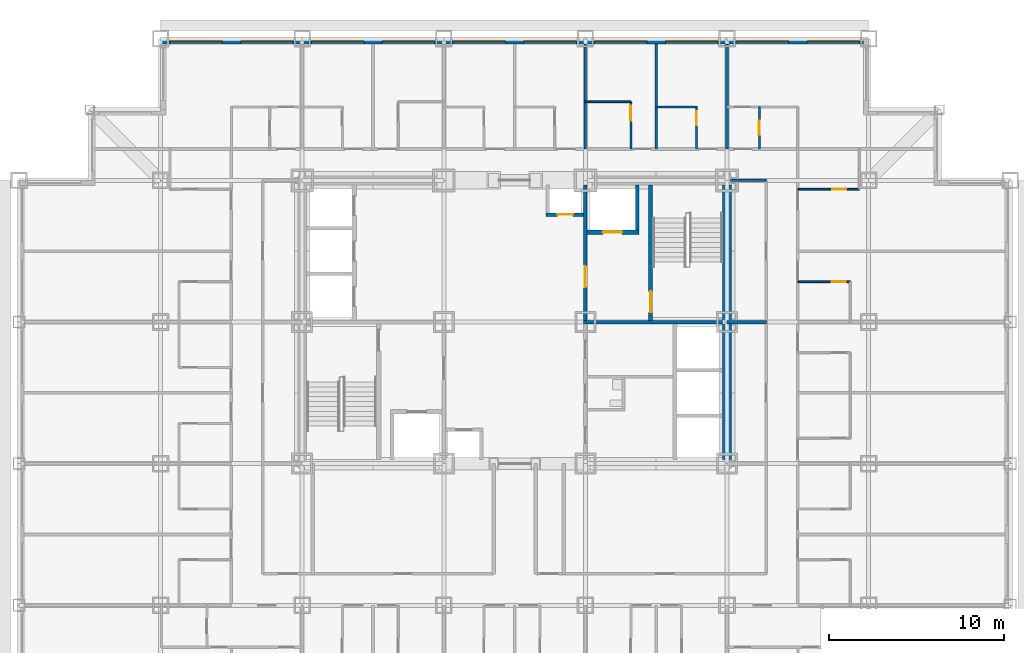
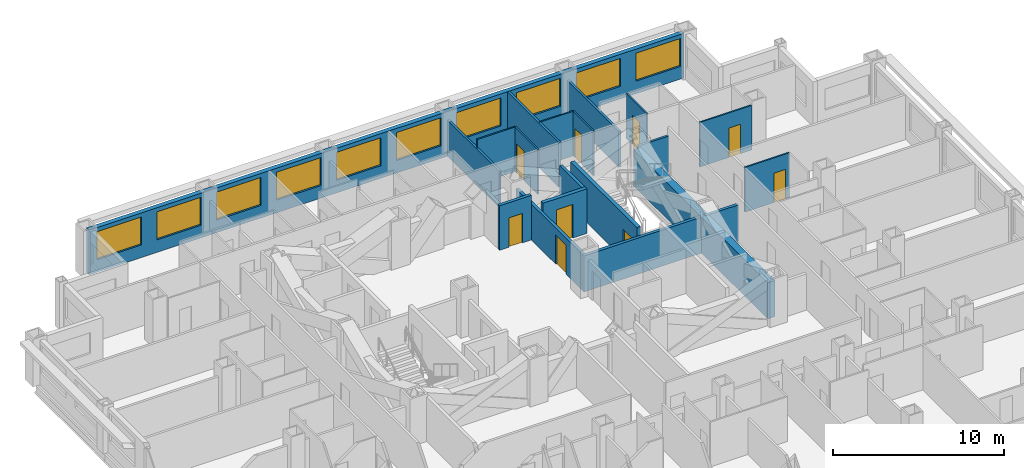
# One storey, part 9 of 12: 20 walls, 10 windows, 9 doors, 19 openings.
"""IFC4 building model written with IfcOpenShell, lengths in metres."""

from ifc_helpers import new_model, si_unit, direction, frame, frame_2d, origin, place, context, subcontext, project, spatial, rectangle, extrude, material, layer, layer_set, type_object, element, fill, save


model = new_model("IFC4")

# Units and contexts
model_context = context("Model", 3, precision=1e-05, world=origin(), true_north=direction((0.0, 1.0)))
body_context = subcontext(model_context, "Body", "Model", "MODEL_VIEW")
ifc_project = project(units=[si_unit("LENGTHUNIT", "METRE"), si_unit("AREAUNIT", "SQUARE_METRE"), si_unit("VOLUMEUNIT", "CUBIC_METRE"), si_unit("PLANEANGLEUNIT", "RADIAN"), si_unit("MASSUNIT", "GRAM", prefix="KILO")], contexts=[model_context])

# Site, building, storey
site_placement = place(None, origin())
site = spatial("IfcSite", under=ifc_project, at=site_placement, CompositionType="ELEMENT")
building_placement = place(site_placement, origin())
building = spatial("IfcBuilding", under=site, at=building_placement, Name="Kopane Lantern Tower", CompositionType="ELEMENT")
storey_placement = place(building_placement, frame((0.0, 0.0, 36.39990234375)))
storey = spatial("IfcBuildingStorey", under=building, at=storey_placement, Name="L07", CompositionType="ELEMENT", Elevation=36.39990234375)

# Wall
ifc_material_1 = material(Name="Moisture-resistant board on steel studs", Category="steel")
ifc_layer_1 = layer(ifc_material_1, 0.10009765625)
ifc_layer_set_1 = layer_set([ifc_layer_1], Name="BATHROOM WALL 100")
wall_type_1 = type_object("IfcWallType", Name="BATHROOM WALL 100", PredefinedType="PARTITIONING", material=ifc_layer_set_1)
wall_1_placement = place(storey_placement, frame((32.39990234375, 45.0, 0.0), z_axis=(0.0, 0.0, 1.0), x_axis=(1.0, 0.0, 0.0)))
element("IfcWall", 1, at=wall_1_placement, inside=storey, type_object=wall_type_1, Name="Bathroom Wall 100 L07", PredefinedType="PARTITIONING", context=body_context, shape_type="SweptSolid", body=[
    extrude(rectangle(XDim=2.60009765625, YDim=0.10009765625, at=frame_2d((1.300048828125, 0.0))), origin(), (0.0, 0.0, 1.0), 3.190185546875),
])

# Wall, opening, door
wall_2_placement = place(storey_placement, frame((35.0, 42.300048828125, 0.0), z_axis=(0.0, 0.0, 1.0), x_axis=(0.0, 1.0, 0.0)))
wall_2 = element("IfcWall", 2, at=wall_2_placement, inside=storey, type_object=wall_type_1, Name="Bathroom Wall 100 L07", PredefinedType="PARTITIONING", context=body_context, shape_type="SweptSolid", body=[
    extrude(rectangle(XDim=2.699951171875, YDim=0.10009765625, at=frame_2d((1.35009765625, 0.0))), origin(), (0.0, 0.0, 1.0), 3.190185546875),
])
opening_1_placement = place(wall_2_placement, frame((1.625, 0.0, 0.0)))
opening_1 = element("IfcOpeningElement", 3, at=opening_1_placement, cuts=wall_2, Name="Opening L07-031", PredefinedType="OPENING", context=body_context, shape_type="SweptSolid", body=[
    extrude(rectangle(XDim=0.85009765625, YDim=2.10009765625, at=frame_2d((0.425048828125, 1.050048828125))), frame((0.0, 0.06005859375, 0.0), z_axis=(0.0, -1.0, 0.0), x_axis=(1.0, 0.0, 0.0)), (0.0, 0.0, 1.0), 0.1201171875),
])
ifc_material_2 = material(Name="Timber door set", Category="wood")
door_type_1 = type_object("IfcDoorType", Name="DOOR D4 850x2100", OperationType="SINGLE_SWING_LEFT", PredefinedType="DOOR", material=ifc_material_2)
door_1_placement = place(opening_1_placement, origin())
door_1 = element("IfcDoor", 4, at=door_1_placement, inside=storey, type_object=door_type_1, Name="Door L07-031", OperationType="SINGLE_SWING_RIGHT", OverallHeight=2.10009765625, OverallWidth=0.85009765625, PredefinedType="DOOR", context=body_context, shape_type="SweptSolid", body=[
    extrude(rectangle(XDim=0.85009765625, YDim=2.10009765625, at=frame_2d((0.425048828125, 1.050048828125))), frame((0.0, 0.02490234375, 0.0), z_axis=(0.0, -1.0, 0.0), x_axis=(1.0, 0.0, 0.0)), (0.0, 0.0, 1.0), 0.050048828125),
])
fill(opening_1, door_1)

# Wall
wall_3_placement = place(storey_placement, frame((36.449951171875, 44.699951171875, 0.0), z_axis=(0.0, 0.0, 1.0), x_axis=(1.0, 0.0, 0.0)))
element("IfcWall", 5, at=wall_3_placement, inside=storey, type_object=wall_type_1, Name="Bathroom Wall 100 L07", PredefinedType="PARTITIONING", context=body_context, shape_type="SweptSolid", body=[
    extrude(rectangle(XDim=2.300048828125, YDim=0.10009765625, at=frame_2d((1.14990234375, 0.0))), origin(), (0.0, 0.0, 1.0), 3.190185546875),
])

# Wall, opening, door
wall_4_placement = place(storey_placement, frame((38.75, 42.300048828125, 0.0), z_axis=(0.0, 0.0, 1.0), x_axis=(0.0, 1.0, 0.0)))
wall_4 = element("IfcWall", 6, at=wall_4_placement, inside=storey, type_object=wall_type_1, Name="Bathroom Wall 100 L07", PredefinedType="PARTITIONING", context=body_context, shape_type="SweptSolid", body=[
    extrude(rectangle(XDim=2.39990234375, YDim=0.10009765625, at=frame_2d((1.199951171875, 0.0))), origin(), (0.0, 0.0, 1.0), 3.190185546875),
])
opening_2_placement = place(wall_4_placement, frame((1.35009765625, 0.0, 0.0)))
opening_2 = element("IfcOpeningElement", 7, at=opening_2_placement, cuts=wall_4, Name="Opening L07-033", PredefinedType="OPENING", context=body_context, shape_type="SweptSolid", body=[
    extrude(rectangle(XDim=0.800048828125, YDim=2.10009765625, at=frame_2d((0.39990234375, 1.050048828125))), frame((0.0, 0.06005859375, 0.0), z_axis=(0.0, -1.0, 0.0), x_axis=(1.0, 0.0, 0.0)), (0.0, 0.0, 1.0), 0.1201171875),
])
ifc_material_3 = material(Name="Timber door set", Category="wood")
door_type_2 = type_object("IfcDoorType", Name="DOOR D2 800x2100", OperationType="SINGLE_SWING_LEFT", PredefinedType="DOOR", material=ifc_material_3)
door_2_placement = place(opening_2_placement, origin())
door_2 = element("IfcDoor", 8, at=door_2_placement, inside=storey, type_object=door_type_2, Name="Door L07-033", OperationType="SINGLE_SWING_RIGHT", OverallHeight=2.10009765625, OverallWidth=0.800048828125, PredefinedType="DOOR", context=body_context, shape_type="SweptSolid", body=[
    extrude(rectangle(XDim=0.800048828125, YDim=2.10009765625, at=frame_2d((0.39990234375, 1.050048828125))), frame((0.0, 0.02490234375, 0.0), z_axis=(0.0, -1.0, 0.0), x_axis=(1.0, 0.0, 0.0)), (0.0, 0.0, 1.0), 0.050048828125),
])
fill(opening_2, door_2)

wall_5_placement = place(storey_placement, frame((44.550048828125, 34.699951171875, 0.0), z_axis=(0.0, 0.0, 1.0), x_axis=(1.0, 0.0, 0.0)))
wall_5 = element("IfcWall", 9, at=wall_5_placement, inside=storey, type_object=wall_type_1, Name="Bathroom Wall 100 L07", PredefinedType="PARTITIONING", context=body_context, shape_type="SweptSolid", body=[
    extrude(rectangle(XDim=3.0, YDim=0.10009765625, at=frame_2d((1.5, 0.0))), origin(), (0.0, 0.0, 1.0), 3.190185546875),
])
opening_3_placement = place(wall_5_placement, frame((1.949951171875, 0.0, 0.0)))
opening_3 = element("IfcOpeningElement", 10, at=opening_3_placement, cuts=wall_5, Name="Opening L07-055", PredefinedType="OPENING", context=body_context, shape_type="SweptSolid", body=[
    extrude(rectangle(XDim=0.800048828125, YDim=2.10009765625, at=frame_2d((0.39990234375, 1.050048828125))), frame((0.0, 0.06005859375, 0.0), z_axis=(0.0, -1.0, 0.0), x_axis=(1.0, 0.0, 0.0)), (0.0, 0.0, 1.0), 0.1201171875),
])
door_3_placement = place(opening_3_placement, origin())
door_3 = element("IfcDoor", 11, at=door_3_placement, inside=storey, type_object=door_type_2, Name="Door L07-055", OperationType="SINGLE_SWING_LEFT", OverallHeight=2.10009765625, OverallWidth=0.800048828125, PredefinedType="DOOR", context=body_context, shape_type="SweptSolid", body=[
    extrude(rectangle(XDim=0.800048828125, YDim=2.10009765625, at=frame_2d((0.39990234375, 1.050048828125))), frame((0.0, 0.02490234375, 0.0), z_axis=(0.0, -1.0, 0.0), x_axis=(1.0, 0.0, 0.0)), (0.0, 0.0, 1.0), 0.050048828125),
])
fill(opening_3, door_3)

wall_6_placement = place(storey_placement, frame((44.550048828125, 40.0, 0.0), z_axis=(0.0, 0.0, 1.0), x_axis=(1.0, 0.0, 0.0)))
wall_6 = element("IfcWall", 12, at=wall_6_placement, inside=storey, type_object=wall_type_1, Name="Bathroom Wall 100 L07", PredefinedType="PARTITIONING", context=body_context, shape_type="SweptSolid", body=[
    extrude(rectangle(XDim=3.514892578125, YDim=0.10009765625, at=frame_2d((1.75732421875, 0.0))), origin(), (0.0, 0.0, 1.0), 3.190185546875),
])
opening_4_placement = place(wall_6_placement, frame((1.965087890625, 0.0, 0.0)))
opening_4 = element("IfcOpeningElement", 13, at=opening_4_placement, cuts=wall_6, Name="Opening L07-057", PredefinedType="OPENING", context=body_context, shape_type="SweptSolid", body=[
    extrude(rectangle(XDim=0.800048828125, YDim=2.10009765625, at=frame_2d((0.39990234375, 1.050048828125))), frame((0.0, 0.06005859375, 0.0), z_axis=(0.0, -1.0, 0.0), x_axis=(1.0, 0.0, 0.0)), (0.0, 0.0, 1.0), 0.1201171875),
])
door_4_placement = place(opening_4_placement, origin())
door_4 = element("IfcDoor", 14, at=door_4_placement, inside=storey, type_object=door_type_2, Name="Door L07-057", OperationType="SINGLE_SWING_RIGHT", OverallHeight=2.10009765625, OverallWidth=0.800048828125, PredefinedType="DOOR", context=body_context, shape_type="SweptSolid", body=[
    extrude(rectangle(XDim=0.800048828125, YDim=2.10009765625, at=frame_2d((0.39990234375, 1.050048828125))), frame((0.0, 0.02490234375, 0.0), z_axis=(0.0, -1.0, 0.0), x_axis=(1.0, 0.0, 0.0)), (0.0, 0.0, 1.0), 0.050048828125),
])
fill(opening_4, door_4)

wall_7_placement = place(storey_placement, frame((42.35009765625, 42.300048828125, 0.0), z_axis=(0.0, 0.0, 1.0), x_axis=(0.0, 1.0, 0.0)))
wall_7 = element("IfcWall", 15, at=wall_7_placement, inside=storey, type_object=wall_type_1, Name="Bathroom Wall 100 L07", PredefinedType="PARTITIONING", context=body_context, shape_type="SweptSolid", body=[
    extrude(rectangle(XDim=2.39990234375, YDim=0.10009765625, at=frame_2d((1.199951171875, 0.0))), origin(), (0.0, 0.0, 1.0), 3.190185546875),
])
opening_5_placement = place(wall_7_placement, frame((0.800048828125, 0.0, 0.0)))
opening_5 = element("IfcOpeningElement", 16, at=opening_5_placement, cuts=wall_7, Name="Opening L07-069", PredefinedType="OPENING", context=body_context, shape_type="SweptSolid", body=[
    extrude(rectangle(XDim=0.800048828125, YDim=2.10009765625, at=frame_2d((0.39990234375, 1.050048828125))), frame((0.0, 0.06005859375, 0.0), z_axis=(0.0, -1.0, 0.0), x_axis=(1.0, 0.0, 0.0)), (0.0, 0.0, 1.0), 0.1201171875),
])
door_5_placement = place(opening_5_placement, origin())
door_5 = element("IfcDoor", 17, at=door_5_placement, inside=storey, type_object=door_type_2, Name="Door L07-069", OperationType="SINGLE_SWING_RIGHT", OverallHeight=2.10009765625, OverallWidth=0.800048828125, PredefinedType="DOOR", context=body_context, shape_type="SweptSolid", body=[
    extrude(rectangle(XDim=0.800048828125, YDim=2.10009765625, at=frame_2d((0.39990234375, 1.050048828125))), frame((0.0, 0.02490234375, 0.0), z_axis=(0.0, -1.0, 0.0), x_axis=(1.0, 0.0, 0.0)), (0.0, 0.0, 1.0), 0.050048828125),
])
fill(opening_5, door_5)

# Wall
ifc_material_4 = material(Name="Gypsum shaft wall EI 120", Category="gypsum")
ifc_layer_2 = layer(ifc_material_4, 0.5)
ifc_layer_set_2 = layer_set([ifc_layer_2], Name="CORE PERIMETER WALL 500 EI 120")
wall_type_2 = type_object("IfcWallType", Name="CORE PERIMETER WALL 500 EI 120", PredefinedType="SOLIDWALL", material=ifc_layer_set_2)
wall_8_placement = place(storey_placement, frame((40.5, 24.550048828125, 0.0), z_axis=(0.0, 0.0, 1.0), x_axis=(0.0, 1.0, 0.0)))
element("IfcWall", 18, at=wall_8_placement, inside=storey, type_object=wall_type_2, Name="Core shaft wall L07 PE", PredefinedType="SOLIDWALL", context=body_context, shape_type="SweptSolid", body=[
    extrude(rectangle(XDim=15.699951171875, YDim=0.5, at=frame_2d((7.85009765625, 0.0))), origin(), (0.0, 0.0, 1.0), 2.577880859375),
])

# Wall, opening, door
ifc_material_5 = material(Name="Gypsum shaft wall EI 120", Category="gypsum")
ifc_layer_3 = layer(ifc_material_5, 0.25)
ifc_layer_set_3 = layer_set([ifc_layer_3], Name="CORE SHAFT WALL 250 EI 120")
wall_type_3 = type_object("IfcWallType", Name="CORE SHAFT WALL 250 EI 120", PredefinedType="SOLIDWALL", material=ifc_layer_set_3)
wall_9_placement = place(storey_placement, frame((36.125, 32.5, 0.0), z_axis=(0.0, 0.0, 1.0), x_axis=(0.0, 1.0, 0.0)))
wall_9 = element("IfcWall", 19, at=wall_9_placement, inside=storey, type_object=wall_type_3, Name="Core shaft wall L07 XST2", PredefinedType="SOLIDWALL", context=body_context, shape_type="SweptSolid", body=[
    extrude(rectangle(XDim=7.75, YDim=0.25, at=frame_2d((3.875, 0.0))), origin(), (0.0, 0.0, 1.0), 3.190185546875),
])
opening_6_placement = place(wall_9_placement, frame((0.449951171875, 0.0, 0.0)))
opening_6 = element("IfcOpeningElement", 20, at=opening_6_placement, cuts=wall_9, Name="Opening 07.SD2", PredefinedType="OPENING", context=body_context, shape_type="SweptSolid", body=[
    extrude(rectangle(XDim=1.199951171875, YDim=2.10009765625, at=frame_2d((0.60009765625, 1.050048828125))), frame((0.0, 0.135009765625, 0.0), z_axis=(0.0, -1.0, 0.0), x_axis=(1.0, 0.0, 0.0)), (0.0, 0.0, 1.0), 0.27001953125),
])
ifc_material_6 = material(Name="Steel door set", Category="steel")
door_type_3 = type_object("IfcDoorType", Name="STAIR DOOR 1200x2100 FD60S", OperationType="SINGLE_SWING_LEFT", PredefinedType="DOOR", material=ifc_material_6)
door_6_placement = place(opening_6_placement, origin())
door_6 = element("IfcDoor", 21, at=door_6_placement, inside=storey, type_object=door_type_3, Name="Stair door ST2 L07", OperationType="SINGLE_SWING_RIGHT", OverallHeight=2.10009765625, OverallWidth=1.199951171875, PredefinedType="DOOR", context=body_context, shape_type="SweptSolid", body=[
    extrude(rectangle(XDim=1.199951171875, YDim=2.10009765625, at=frame_2d((0.60009765625, 1.050048828125))), frame((0.0, 0.02490234375, 0.0), z_axis=(0.0, -1.0, 0.0), x_axis=(1.0, 0.0, 0.0)), (0.0, 0.0, 1.0), 0.050048828125),
])
fill(opening_6, door_6)

wall_10_placement = place(storey_placement, frame((32.5, 37.52490234375, 0.0), z_axis=(0.0, 0.0, 1.0), x_axis=(1.0, 0.0, 0.0)))
wall_10 = element("IfcWall", 22, at=wall_10_placement, inside=storey, type_object=wall_type_3, Name="Core shaft wall L07 YLF2", PredefinedType="SOLIDWALL", context=body_context, shape_type="SweptSolid", body=[
    extrude(rectangle(XDim=2.949951171875, YDim=0.25, at=frame_2d((1.47509765625, 0.0))), origin(), (0.0, 0.0, 1.0), 3.190185546875),
])
opening_7_placement = place(wall_10_placement, frame((0.89990234375, 0.0, 0.0)))
opening_7 = element("IfcOpeningElement", 23, at=opening_7_placement, cuts=wall_10, Name="Opening 07.LD-LF2", PredefinedType="OPENING", context=body_context, shape_type="SweptSolid", body=[
    extrude(rectangle(XDim=1.10009765625, YDim=2.39990234375, at=frame_2d((0.550048828125, 1.199951171875))), frame((0.0, 0.135009765625, 0.0), z_axis=(0.0, -1.0, 0.0), x_axis=(1.0, 0.0, 0.0)), (0.0, 0.0, 1.0), 0.27001953125),
])
ifc_material_7 = material(Name="Steel door set", Category="steel")
door_type_4 = type_object("IfcDoorType", Name="LIFT LANDING DOOR 1100x2400 FD60", OperationType="DOUBLE_DOOR_SLIDING", PredefinedType="DOOR", material=ifc_material_7)
door_7_placement = place(opening_7_placement, origin())
door_7 = element("IfcDoor", 24, at=door_7_placement, inside=storey, type_object=door_type_4, Name="Landing door LF2 L07", OperationType="DOUBLE_DOOR_SLIDING", OverallHeight=2.39990234375, OverallWidth=1.10009765625, PredefinedType="DOOR", context=body_context, shape_type="SweptSolid", body=[
    extrude(rectangle(XDim=1.10009765625, YDim=2.39990234375, at=frame_2d((0.550048828125, 1.199951171875))), frame((0.0, 0.02490234375, 0.0), z_axis=(0.0, -1.0, 0.0), x_axis=(1.0, 0.0, 0.0)), (0.0, 0.0, 1.0), 0.050048828125),
])
fill(opening_7, door_7)

# Walls
ifc_material_8 = material(Name="Gypsum board on steel studs", Category="steel")
ifc_layer_4 = layer(ifc_material_8, 0.14990234375)
ifc_layer_set_4 = layer_set([ifc_layer_4], Name="CORRIDOR WALL 150 EI 60")
wall_type_4 = type_object("IfcWallType", Name="CORRIDOR WALL 150 EI 60", PredefinedType="PARTITIONING", material=ifc_layer_set_4)
wall_11_placement = place(storey_placement, frame((42.75, 40.5, 0.0), z_axis=(0.0, 0.0, 1.0), x_axis=(-1.0, 0.0, 0.0)))
element("IfcWall", 25, at=wall_11_placement, inside=storey, type_object=wall_type_4, Name="Corridor Wall 150 Ei 60 L07", PredefinedType="PARTITIONING", context=body_context, shape_type="SweptSolid", body=[
    extrude(rectangle(XDim=2.050048828125, YDim=0.14990234375, at=frame_2d((1.02490234375, 0.0))), origin(), (0.0, 0.0, 1.0), 2.577880859375),
])
ifc_material_9 = material(Name="Gypsum board on steel studs", Category="steel")
ifc_layer_5 = layer(ifc_material_9, 0.14990234375)
ifc_layer_set_5 = layer_set([ifc_layer_5], Name="DEMISING WALL 150 EI 60")
wall_type_5 = type_object("IfcWallType", Name="DEMISING WALL 150 EI 60", PredefinedType="PARTITIONING", material=ifc_layer_set_5)
wall_12_placement = place(storey_placement, frame((32.39990234375, 42.300048828125, 0.0), z_axis=(0.0, 0.0, 1.0), x_axis=(0.0, 1.0, 0.0)))
element("IfcWall", 26, at=wall_12_placement, inside=storey, type_object=wall_type_5, Name="Demising Wall 150 Ei 60 L07", PredefinedType="PARTITIONING", context=body_context, shape_type="SweptSolid", body=[
    extrude(rectangle(XDim=6.0, YDim=0.14990234375, at=frame_2d((3.0, 0.0))), origin(), (0.0, 0.0, 1.0), 2.577880859375),
])
wall_13_placement = place(storey_placement, frame((36.449951171875, 42.300048828125, 0.0), z_axis=(0.0, 0.0, 1.0), x_axis=(0.0, 1.0, 0.0)))
element("IfcWall", 27, at=wall_13_placement, inside=storey, type_object=wall_type_5, Name="Demising Wall 150 Ei 60 L07", PredefinedType="PARTITIONING", context=body_context, shape_type="SweptSolid", body=[
    extrude(rectangle(XDim=6.0, YDim=0.14990234375, at=frame_2d((3.0, 0.0))), origin(), (0.0, 0.0, 1.0), 3.190185546875),
])
wall_14_placement = place(storey_placement, frame((40.5, 42.300048828125, 0.0), z_axis=(0.0, 0.0, 1.0), x_axis=(0.0, 1.0, 0.0)))
element("IfcWall", 28, at=wall_14_placement, inside=storey, type_object=wall_type_5, Name="Demising Wall 150 Ei 60 L07", PredefinedType="PARTITIONING", context=body_context, shape_type="SweptSolid", body=[
    extrude(rectangle(XDim=6.0, YDim=0.14990234375, at=frame_2d((3.0, 0.0))), origin(), (0.0, 0.0, 1.0), 2.577880859375),
])

# Wall, openings, windows
ifc_material_10 = material(Name="Terracotta rainscreen on light steel framing", Category="masonry")
ifc_layer_6 = layer(ifc_material_10, 0.300048828125)
ifc_layer_set_6 = layer_set([ifc_layer_6], Name="EXTERNAL WALL EW1 300 TERRACOTTA")
wall_type_6 = type_object("IfcWallType", Name="EXTERNAL WALL EW1 300 TERRACOTTA", PredefinedType="SOLIDWALL", material=ifc_layer_set_6)
wall_15_placement = place(storey_placement, frame((48.300048828125, 48.449951171875, 0.0), z_axis=(0.0, 0.0, 1.0), x_axis=(-1.0, 0.0, 0.0)))
wall_15 = element("IfcWall", 29, at=wall_15_placement, inside=storey, type_object=wall_type_6, Name="External wall N L07", PredefinedType="SOLIDWALL", context=body_context, shape_type="SweptSolid", body=[
    extrude(rectangle(XDim=40.199951171875, YDim=0.300048828125, at=frame_2d((20.10009765625, 0.0))), origin(), (0.0, 0.0, 1.0), 3.190185546875),
])
opening_8_placement = place(wall_15_placement, frame((0.22509765625, 0.0, 0.89990234375)))
opening_8 = element("IfcOpeningElement", 30, at=opening_8_placement, cuts=wall_15, Name="Opening WR300200", PredefinedType="OPENING", context=body_context, shape_type="SweptSolid", body=[
    extrude(rectangle(XDim=3.0, YDim=2.0, at=frame_2d((1.5, 1.0))), frame((0.0, 0.159912109375, 0.0), z_axis=(0.0, -1.0, 0.0), x_axis=(1.0, 0.0, 0.0)), (0.0, 0.0, 1.0), 0.320068359375),
])
opening_9_placement = place(wall_15_placement, frame((4.27490234375, 0.0, 0.89990234375)))
opening_9 = element("IfcOpeningElement", 31, at=opening_9_placement, cuts=wall_15, Name="Opening WR300200", PredefinedType="OPENING", context=body_context, shape_type="SweptSolid", body=[
    extrude(rectangle(XDim=3.0, YDim=2.0, at=frame_2d((1.5, 1.0))), frame((0.0, 0.159912109375, 0.0), z_axis=(0.0, -1.0, 0.0), x_axis=(1.0, 0.0, 0.0)), (0.0, 0.0, 1.0), 0.320068359375),
])
opening_10_placement = place(wall_15_placement, frame((8.324951171875, 0.0, 0.89990234375)))
opening_10 = element("IfcOpeningElement", 32, at=opening_10_placement, cuts=wall_15, Name="Opening WR300200", PredefinedType="OPENING", context=body_context, shape_type="SweptSolid", body=[
    extrude(rectangle(XDim=3.0, YDim=2.0, at=frame_2d((1.5, 1.0))), frame((0.0, 0.159912109375, 0.0), z_axis=(0.0, -1.0, 0.0), x_axis=(1.0, 0.0, 0.0)), (0.0, 0.0, 1.0), 0.320068359375),
])
opening_11_placement = place(wall_15_placement, frame((12.375, 0.0, 0.89990234375)))
opening_11 = element("IfcOpeningElement", 33, at=opening_11_placement, cuts=wall_15, Name="Opening WR300200", PredefinedType="OPENING", context=body_context, shape_type="SweptSolid", body=[
    extrude(rectangle(XDim=3.0, YDim=2.0, at=frame_2d((1.5, 1.0))), frame((0.0, 0.159912109375, 0.0), z_axis=(0.0, -1.0, 0.0), x_axis=(1.0, 0.0, 0.0)), (0.0, 0.0, 1.0), 0.320068359375),
])
opening_12_placement = place(wall_15_placement, frame((16.425048828125, 0.0, 0.89990234375)))
opening_12 = element("IfcOpeningElement", 34, at=opening_12_placement, cuts=wall_15, Name="Opening WR300200", PredefinedType="OPENING", context=body_context, shape_type="SweptSolid", body=[
    extrude(rectangle(XDim=3.0, YDim=2.0, at=frame_2d((1.5, 1.0))), frame((0.0, 0.159912109375, 0.0), z_axis=(0.0, -1.0, 0.0), x_axis=(1.0, 0.0, 0.0)), (0.0, 0.0, 1.0), 0.320068359375),
])
opening_13_placement = place(wall_15_placement, frame((20.47509765625, 0.0, 0.89990234375)))
opening_13 = element("IfcOpeningElement", 35, at=opening_13_placement, cuts=wall_15, Name="Opening WR300200", PredefinedType="OPENING", context=body_context, shape_type="SweptSolid", body=[
    extrude(rectangle(XDim=3.0, YDim=2.0, at=frame_2d((1.5, 1.0))), frame((0.0, 0.159912109375, 0.0), z_axis=(0.0, -1.0, 0.0), x_axis=(1.0, 0.0, 0.0)), (0.0, 0.0, 1.0), 0.320068359375),
])
opening_14_placement = place(wall_15_placement, frame((24.52490234375, 0.0, 0.89990234375)))
opening_14 = element("IfcOpeningElement", 36, at=opening_14_placement, cuts=wall_15, Name="Opening WR300200", PredefinedType="OPENING", context=body_context, shape_type="SweptSolid", body=[
    extrude(rectangle(XDim=3.0, YDim=2.0, at=frame_2d((1.5, 1.0))), frame((0.0, 0.159912109375, 0.0), z_axis=(0.0, -1.0, 0.0), x_axis=(1.0, 0.0, 0.0)), (0.0, 0.0, 1.0), 0.320068359375),
])
opening_15_placement = place(wall_15_placement, frame((28.574951171875, 0.0, 0.89990234375)))
opening_15 = element("IfcOpeningElement", 37, at=opening_15_placement, cuts=wall_15, Name="Opening WR300200", PredefinedType="OPENING", context=body_context, shape_type="SweptSolid", body=[
    extrude(rectangle(XDim=3.0, YDim=2.0, at=frame_2d((1.5, 1.0))), frame((0.0, 0.159912109375, 0.0), z_axis=(0.0, -1.0, 0.0), x_axis=(1.0, 0.0, 0.0)), (0.0, 0.0, 1.0), 0.320068359375),
])
opening_16_placement = place(wall_15_placement, frame((32.625, 0.0, 0.89990234375)))
opening_16 = element("IfcOpeningElement", 38, at=opening_16_placement, cuts=wall_15, Name="Opening WR300200", PredefinedType="OPENING", context=body_context, shape_type="SweptSolid", body=[
    extrude(rectangle(XDim=3.0, YDim=2.0, at=frame_2d((1.5, 1.0))), frame((0.0, 0.159912109375, 0.0), z_axis=(0.0, -1.0, 0.0), x_axis=(1.0, 0.0, 0.0)), (0.0, 0.0, 1.0), 0.320068359375),
])
opening_17_placement = place(wall_15_placement, frame((36.675048828125, 0.0, 0.89990234375)))
opening_17 = element("IfcOpeningElement", 39, at=opening_17_placement, cuts=wall_15, Name="Opening WR300200", PredefinedType="OPENING", context=body_context, shape_type="SweptSolid", body=[
    extrude(rectangle(XDim=3.0, YDim=2.0, at=frame_2d((1.5, 1.0))), frame((0.0, 0.159912109375, 0.0), z_axis=(0.0, -1.0, 0.0), x_axis=(1.0, 0.0, 0.0)), (0.0, 0.0, 1.0), 0.320068359375),
])
ifc_material_11 = material(Name="Aluminium and clear glass", Category="aluminium")
window_type = type_object("IfcWindowType", Name="RIBBON WINDOW WR300200 3000x2000", PartitioningType="SINGLE_PANEL", PredefinedType="WINDOW", material=ifc_material_11)
window_1_placement = place(opening_8_placement, origin())
window_1 = element("IfcWindow", 40, at=window_1_placement, inside=storey, type_object=window_type, Name="Window N L07", OverallHeight=2.0, OverallWidth=3.0, PartitioningType="SINGLE_PANEL", PredefinedType="WINDOW", context=body_context, shape_type="SweptSolid", body=[
    extrude(rectangle(XDim=3.0, YDim=2.0, at=frame_2d((1.5, 1.0))), frame((0.0, 0.030029296875, 0.0), z_axis=(0.0, -1.0, 0.0), x_axis=(1.0, 0.0, 0.0)), (0.0, 0.0, 1.0), 0.06005859375),
])
fill(opening_8, window_1)
window_2_placement = place(opening_9_placement, origin())
window_2 = element("IfcWindow", 41, at=window_2_placement, inside=storey, type_object=window_type, Name="Window N L07", OverallHeight=2.0, OverallWidth=3.0, PartitioningType="SINGLE_PANEL", PredefinedType="WINDOW", context=body_context, shape_type="SweptSolid", body=[
    extrude(rectangle(XDim=3.0, YDim=2.0, at=frame_2d((1.5, 1.0))), frame((0.0, 0.030029296875, 0.0), z_axis=(0.0, -1.0, 0.0), x_axis=(1.0, 0.0, 0.0)), (0.0, 0.0, 1.0), 0.06005859375),
])
fill(opening_9, window_2)
window_3_placement = place(opening_10_placement, origin())
window_3 = element("IfcWindow", 42, at=window_3_placement, inside=storey, type_object=window_type, Name="Window N L07", OverallHeight=2.0, OverallWidth=3.0, PartitioningType="SINGLE_PANEL", PredefinedType="WINDOW", context=body_context, shape_type="SweptSolid", body=[
    extrude(rectangle(XDim=3.0, YDim=2.0, at=frame_2d((1.5, 1.0))), frame((0.0, 0.030029296875, 0.0), z_axis=(0.0, -1.0, 0.0), x_axis=(1.0, 0.0, 0.0)), (0.0, 0.0, 1.0), 0.06005859375),
])
fill(opening_10, window_3)
window_4_placement = place(opening_11_placement, origin())
window_4 = element("IfcWindow", 43, at=window_4_placement, inside=storey, type_object=window_type, Name="Window N L07", OverallHeight=2.0, OverallWidth=3.0, PartitioningType="SINGLE_PANEL", PredefinedType="WINDOW", context=body_context, shape_type="SweptSolid", body=[
    extrude(rectangle(XDim=3.0, YDim=2.0, at=frame_2d((1.5, 1.0))), frame((0.0, 0.030029296875, 0.0), z_axis=(0.0, -1.0, 0.0), x_axis=(1.0, 0.0, 0.0)), (0.0, 0.0, 1.0), 0.06005859375),
])
fill(opening_11, window_4)
window_5_placement = place(opening_12_placement, origin())
window_5 = element("IfcWindow", 44, at=window_5_placement, inside=storey, type_object=window_type, Name="Window N L07", OverallHeight=2.0, OverallWidth=3.0, PartitioningType="SINGLE_PANEL", PredefinedType="WINDOW", context=body_context, shape_type="SweptSolid", body=[
    extrude(rectangle(XDim=3.0, YDim=2.0, at=frame_2d((1.5, 1.0))), frame((0.0, 0.030029296875, 0.0), z_axis=(0.0, -1.0, 0.0), x_axis=(1.0, 0.0, 0.0)), (0.0, 0.0, 1.0), 0.06005859375),
])
fill(opening_12, window_5)
window_6_placement = place(opening_13_placement, origin())
window_6 = element("IfcWindow", 45, at=window_6_placement, inside=storey, type_object=window_type, Name="Window N L07", OverallHeight=2.0, OverallWidth=3.0, PartitioningType="SINGLE_PANEL", PredefinedType="WINDOW", context=body_context, shape_type="SweptSolid", body=[
    extrude(rectangle(XDim=3.0, YDim=2.0, at=frame_2d((1.5, 1.0))), frame((0.0, 0.030029296875, 0.0), z_axis=(0.0, -1.0, 0.0), x_axis=(1.0, 0.0, 0.0)), (0.0, 0.0, 1.0), 0.06005859375),
])
fill(opening_13, window_6)
window_7_placement = place(opening_14_placement, origin())
window_7 = element("IfcWindow", 46, at=window_7_placement, inside=storey, type_object=window_type, Name="Window N L07", OverallHeight=2.0, OverallWidth=3.0, PartitioningType="SINGLE_PANEL", PredefinedType="WINDOW", context=body_context, shape_type="SweptSolid", body=[
    extrude(rectangle(XDim=3.0, YDim=2.0, at=frame_2d((1.5, 1.0))), frame((0.0, 0.030029296875, 0.0), z_axis=(0.0, -1.0, 0.0), x_axis=(1.0, 0.0, 0.0)), (0.0, 0.0, 1.0), 0.06005859375),
])
fill(opening_14, window_7)
window_8_placement = place(opening_15_placement, origin())
window_8 = element("IfcWindow", 47, at=window_8_placement, inside=storey, type_object=window_type, Name="Window N L07", OverallHeight=2.0, OverallWidth=3.0, PartitioningType="SINGLE_PANEL", PredefinedType="WINDOW", context=body_context, shape_type="SweptSolid", body=[
    extrude(rectangle(XDim=3.0, YDim=2.0, at=frame_2d((1.5, 1.0))), frame((0.0, 0.030029296875, 0.0), z_axis=(0.0, -1.0, 0.0), x_axis=(1.0, 0.0, 0.0)), (0.0, 0.0, 1.0), 0.06005859375),
])
fill(opening_15, window_8)
window_9_placement = place(opening_16_placement, origin())
window_9 = element("IfcWindow", 48, at=window_9_placement, inside=storey, type_object=window_type, Name="Window N L07", OverallHeight=2.0, OverallWidth=3.0, PartitioningType="SINGLE_PANEL", PredefinedType="WINDOW", context=body_context, shape_type="SweptSolid", body=[
    extrude(rectangle(XDim=3.0, YDim=2.0, at=frame_2d((1.5, 1.0))), frame((0.0, 0.030029296875, 0.0), z_axis=(0.0, -1.0, 0.0), x_axis=(1.0, 0.0, 0.0)), (0.0, 0.0, 1.0), 0.06005859375),
])
fill(opening_16, window_9)
window_10_placement = place(opening_17_placement, origin())
window_10 = element("IfcWindow", 49, at=window_10_placement, inside=storey, type_object=window_type, Name="Window N L07", OverallHeight=2.0, OverallWidth=3.0, PartitioningType="SINGLE_PANEL", PredefinedType="WINDOW", context=body_context, shape_type="SweptSolid", body=[
    extrude(rectangle(XDim=3.0, YDim=2.0, at=frame_2d((1.5, 1.0))), frame((0.0, 0.030029296875, 0.0), z_axis=(0.0, -1.0, 0.0), x_axis=(1.0, 0.0, 0.0)), (0.0, 0.0, 1.0), 0.06005859375),
])
fill(opening_17, window_10)

# Walls
ifc_material_12 = material(Name="Concrete masonry", Category="masonry")
ifc_layer_7 = layer(ifc_material_12, 0.199951171875)
ifc_layer_set_7 = layer_set([ifc_layer_7], Name="PLANT ROOM WALL 200 EI 120")
wall_type_7 = type_object("IfcWallType", Name="PLANT ROOM WALL 200 EI 120", PredefinedType="SOLIDWALL", material=ifc_layer_set_7)
wall_16_placement = place(storey_placement, frame((40.5, 32.39990234375, 0.0), z_axis=(0.0, 0.0, 1.0), x_axis=(1.0, 0.0, 0.0)))
element("IfcWall", 50, at=wall_16_placement, inside=storey, type_object=wall_type_7, Name="Plant Room Wall 200 Ei 120 L07", PredefinedType="SOLIDWALL", context=body_context, shape_type="SweptSolid", body=[
    extrude(rectangle(XDim=2.25, YDim=0.199951171875, at=frame_2d((1.125, 0.0))), origin(), (0.0, 0.0, 1.0), 2.577880859375),
])
ifc_material_13 = material(Name="Gypsum shaft wall EI 120", Category="gypsum")
ifc_layer_8 = layer(ifc_material_13, 0.199951171875)
ifc_layer_set_8 = layer_set([ifc_layer_8], Name="SHAFT WALL 200 EI 120")
wall_type_8 = type_object("IfcWallType", Name="SHAFT WALL 200 EI 120", PredefinedType="SOLIDWALL", material=ifc_layer_set_8)
wall_17_placement = place(storey_placement, frame((32.300048828125, 32.39990234375, 0.0), z_axis=(0.0, 0.0, 1.0), x_axis=(1.0, 0.0, 0.0)))
element("IfcWall", 51, at=wall_17_placement, inside=storey, type_object=wall_type_8, Name="Core shaft wall L07 Y324E", PredefinedType="SOLIDWALL", context=body_context, shape_type="SweptSolid", body=[
    extrude(rectangle(XDim=7.949951171875, YDim=0.199951171875, at=frame_2d((3.97509765625, 0.0))), origin(), (0.0, 0.0, 1.0), 2.577880859375),
])

# Wall, opening, door
wall_18_placement = place(storey_placement, frame((32.39990234375, 32.5, 0.0), z_axis=(0.0, 0.0, 1.0), x_axis=(0.0, 1.0, 0.0)))
wall_18 = element("IfcWall", 52, at=wall_18_placement, inside=storey, type_object=wall_type_8, Name="Core shaft wall L07 X324", PredefinedType="SOLIDWALL", context=body_context, shape_type="SweptSolid", body=[
    extrude(rectangle(XDim=7.75, YDim=0.199951171875, at=frame_2d((3.875, 0.0))), origin(), (0.0, 0.0, 1.0), 2.577880859375),
])
opening_18_placement = place(wall_18_placement, frame((1.89990234375, 0.0, 0.0)))
opening_18 = element("IfcOpeningElement", 53, at=opening_18_placement, cuts=wall_18, Name="Opening 07.FL2", PredefinedType="OPENING", context=body_context, shape_type="SweptSolid", body=[
    extrude(rectangle(XDim=1.199951171875, YDim=2.10009765625, at=frame_2d((0.60009765625, 1.050048828125))), frame((0.0, 0.10986328125, 0.0), z_axis=(0.0, -1.0, 0.0), x_axis=(1.0, 0.0, 0.0)), (0.0, 0.0, 1.0), 0.219970703125),
])
ifc_material_14 = material(Name="Steel door set", Category="steel")
door_type_5 = type_object("IfcDoorType", Name="FIREFIGHTING LOBBY DOOR 1200x2100 FD60S", OperationType="SINGLE_SWING_RIGHT", PredefinedType="DOOR", material=ifc_material_14)
door_8_placement = place(opening_18_placement, origin())
door_8 = element("IfcDoor", 54, at=door_8_placement, inside=storey, type_object=door_type_5, Name="Firefighting lobby door FL2 L07", OperationType="SINGLE_SWING_LEFT", OverallHeight=2.10009765625, OverallWidth=1.199951171875, PredefinedType="DOOR", context=body_context, shape_type="SweptSolid", body=[
    extrude(rectangle(XDim=1.199951171875, YDim=2.10009765625, at=frame_2d((0.60009765625, 1.050048828125))), frame((0.0, 0.02490234375, 0.0), z_axis=(0.0, -1.0, 0.0), x_axis=(1.0, 0.0, 0.0)), (0.0, 0.0, 1.0), 0.050048828125),
])
fill(opening_18, door_8)

# Wall
wall_19_placement = place(storey_placement, frame((35.35009765625, 37.64990234375, 0.0), z_axis=(0.0, 0.0, 1.0), x_axis=(0.0, 1.0, 0.0)))
element("IfcWall", 55, at=wall_19_placement, inside=storey, type_object=wall_type_8, Name="Core shaft wall L07 XLF2", PredefinedType="SOLIDWALL", context=body_context, shape_type="SweptSolid", body=[
    extrude(rectangle(XDim=2.60009765625, YDim=0.199951171875, at=frame_2d((1.300048828125, 0.0))), origin(), (0.0, 0.0, 1.0), 3.190185546875),
])

# Wall, opening, door
wall_20_placement = place(storey_placement, frame((30.14990234375, 38.550048828125, 0.0), z_axis=(0.0, 0.0, 1.0), x_axis=(1.0, 0.0, 0.0)))
wall_20 = element("IfcWall", 56, at=wall_20_placement, inside=storey, type_object=wall_type_8, Name="Core shaft wall L07 YRS2", PredefinedType="SOLIDWALL", context=body_context, shape_type="SweptSolid", body=[
    extrude(rectangle(XDim=2.150146484375, YDim=0.199951171875, at=frame_2d((1.0751953125, 0.0))), origin(), (0.0, 0.0, 1.0), 3.190185546875),
])
opening_19_placement = place(wall_20_placement, frame((0.64990234375, 0.0, 0.0)))
opening_19 = element("IfcOpeningElement", 57, at=opening_19_placement, cuts=wall_20, Name="Opening 07.RS2", PredefinedType="OPENING", context=body_context, shape_type="SweptSolid", body=[
    extrude(rectangle(XDim=0.89990234375, YDim=2.10009765625, at=frame_2d((0.449951171875, 1.050048828125))), frame((0.0, 0.10986328125, 0.0), z_axis=(0.0, -1.0, 0.0), x_axis=(1.0, 0.0, 0.0)), (0.0, 0.0, 1.0), 0.219970703125),
])
ifc_material_15 = material(Name="Steel door set", Category="steel")
door_type_6 = type_object("IfcDoorType", Name="RISER ACCESS DOOR 900x2100 FD60", OperationType="SINGLE_SWING_LEFT", PredefinedType="DOOR", material=ifc_material_15)
door_9_placement = place(opening_19_placement, origin())
door_9 = element("IfcDoor", 58, at=door_9_placement, inside=storey, type_object=door_type_6, Name="Riser access door RS2 L07", OperationType="SINGLE_SWING_LEFT", OverallHeight=2.10009765625, OverallWidth=0.89990234375, PredefinedType="DOOR", context=body_context, shape_type="SweptSolid", body=[
    extrude(rectangle(XDim=0.89990234375, YDim=2.10009765625, at=frame_2d((0.449951171875, 1.050048828125))), frame((0.0, 0.02490234375, 0.0), z_axis=(0.0, -1.0, 0.0), x_axis=(1.0, 0.0, 0.0)), (0.0, 0.0, 1.0), 0.050048828125),
])
fill(opening_19, door_9)

save(model, "model.ifc")
